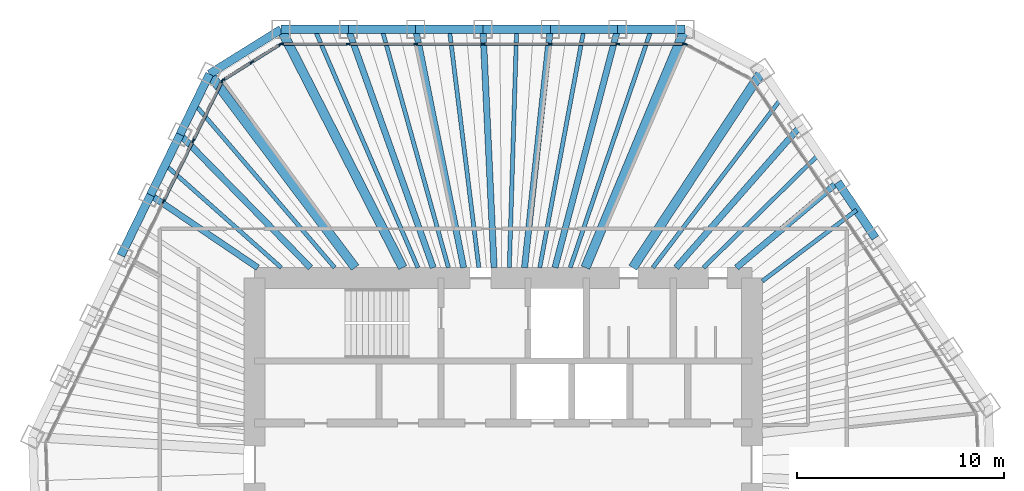
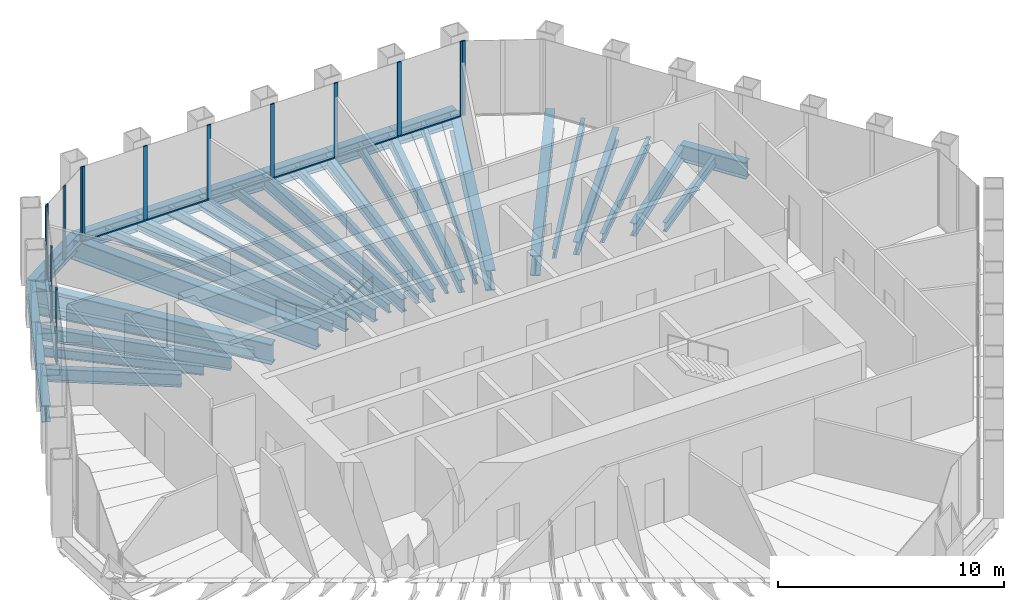
# One storey, part 7 of 14: 35 beams, 24 members, 4 elements without a shape of their own.
"""IFC4 building model written with IfcOpenShell, lengths in metres."""

from ifc_helpers import new_model, si_unit, direction, frame, origin, origin_2d, place, context, subcontext, project, spatial, rectangle, i_section, extrude, material, material_profile, profile_set, type_object, element, aggregate, save


model = new_model("IFC4")

# Units and contexts
model_context = context("Model", 3, precision=1e-05, world=origin(), true_north=direction((0.0, 1.0)))
body_context = subcontext(model_context, "Body", "Model", "MODEL_VIEW")
ifc_project = project(units=[si_unit("LENGTHUNIT", "METRE"), si_unit("AREAUNIT", "SQUARE_METRE"), si_unit("VOLUMEUNIT", "CUBIC_METRE"), si_unit("PLANEANGLEUNIT", "RADIAN"), si_unit("MASSUNIT", "GRAM", prefix="KILO")], contexts=[model_context])

# Site, building, storey
site_placement = place(None, origin())
site = spatial("IfcSite", under=ifc_project, at=site_placement, CompositionType="ELEMENT")
building_placement = place(site_placement, origin())
building = spatial("IfcBuilding", under=site, at=building_placement, Name="Qingtian Harvest Tower", CompositionType="ELEMENT")
storey_placement = place(building_placement, frame((0.0, 0.0, 283.0)))
storey = spatial("IfcBuildingStorey", under=building, at=storey_placement, Name="L62", CompositionType="ELEMENT", Elevation=283.0)

# Beams
ifc_material_1 = material(Name="Steel SM570MC", Category="steel")
ifc_material_profile_1 = material_profile(ifc_material_1, i_section(OverallWidth=0.449951171875, OverallDepth=1.10009765625, WebThickness=0.02197265625, FlangeThickness=0.044921875, at=origin_2d()), Name="H1100x450x22x45")
ifc_profile_set_1 = profile_set([ifc_material_profile_1], Name="Steel SM570MC")
beam_type_1 = type_object("IfcBeamType", Name="Corner floor beam FB8 H1100x450x22x45", PredefinedType="BEAM", material=ifc_profile_set_1)
beam_1_placement = place(storey_placement, frame((-10.72216796875, 21.0, -0.719970703125), z_axis=(0.454730568944, -0.890629052787, 0.0), x_axis=(0.890629052787, 0.454730568944, 0.0)))
element("IfcBeam", 1, at=beam_1_placement, inside=storey, type_object=beam_type_1, Name="Floor beam FB8 N0", PredefinedType="BEAM", context=body_context, shape_type="SweptSolid", body=[
    extrude(i_section(OverallWidth=0.449951171875, OverallDepth=1.10009765625, WebThickness=0.02197265625, FlangeThickness=0.044921875, at=origin_2d()), origin(), (0.0, 0.0, 1.0), 12.912109375),
])
beam_2_placement = place(storey_placement, frame((8.765869140625, 21.0, -0.719970703125), z_axis=(-0.385205133264, -0.922830973313, 0.0), x_axis=(0.922830973313, -0.385205133264, 0.0)))
element("IfcBeam", 2, at=beam_2_placement, inside=storey, type_object=beam_type_1, Name="Floor beam FB8 N6", PredefinedType="BEAM", context=body_context, shape_type="SweptSolid", body=[
    extrude(i_section(OverallWidth=0.449951171875, OverallDepth=1.10009765625, WebThickness=0.02197265625, FlangeThickness=0.044921875, at=origin_2d()), origin(), (0.0, 0.0, 1.0), 12.461669921875),
])
beam_3_placement = place(storey_placement, frame((12.508056640625, 19.01025390625, -0.719970703125), z_axis=(-0.549666916329, -0.835383912398, 0.0), x_axis=(0.835383912398, -0.549666916329, 0.0)))
element("IfcBeam", 3, at=beam_3_placement, inside=storey, type_object=beam_type_1, Name="Floor beam FB8 NE0", PredefinedType="BEAM", context=body_context, shape_type="SweptSolid", body=[
    extrude(i_section(OverallWidth=0.449951171875, OverallDepth=1.10009765625, WebThickness=0.02197265625, FlangeThickness=0.044921875, at=origin_2d()), origin(), (0.0, 0.0, 1.0), 11.38427734375),
])
beam_4_placement = place(storey_placement, frame((-14.17431640625, 18.8427734375, -0.719970703125), z_axis=(0.601148761641, -0.799137138655, 0.0), x_axis=(0.799137138655, 0.601148761641, 0.0)))
element("IfcBeam", 4, at=beam_4_placement, inside=storey, type_object=beam_type_1, Name="Floor beam FB8 NW6", PredefinedType="BEAM", context=body_context, shape_type="SweptSolid", body=[
    extrude(i_section(OverallWidth=0.449951171875, OverallDepth=1.10009765625, WebThickness=0.02197265625, FlangeThickness=0.044921875, at=origin_2d()), origin(), (0.0, 0.0, 1.0), 11.691162109375),
])
ifc_material_2 = material(Name="Steel SN490B", Category="steel")
ifc_material_profile_2 = material_profile(ifc_material_2, i_section(OverallWidth=0.300048828125, OverallDepth=0.699951171875, WebThickness=0.012939453125, FlangeThickness=0.02392578125, at=origin_2d()), Name="H700x300x13x24")
ifc_profile_set_2 = profile_set([ifc_material_profile_2], Name="Steel SN490B")
beam_type_2 = type_object("IfcBeamType", Name="Floor beam FB4 H700x300x13x24", PredefinedType="BEAM", material=ifc_profile_set_2)
beam_5_placement = place(storey_placement, frame((-7.47412109375, 21.0, -0.52001953125), z_axis=(0.335309922571, -0.94210787908, 0.0), x_axis=(0.94210787908, 0.335309922571, 0.0)))
element("IfcBeam", 5, at=beam_5_placement, inside=storey, type_object=beam_type_2, Name="Floor beam FB4 N1", PredefinedType="BEAM", context=body_context, shape_type="SweptSolid", body=[
    extrude(i_section(OverallWidth=0.300048828125, OverallDepth=0.699951171875, WebThickness=0.012939453125, FlangeThickness=0.02392578125, at=origin_2d()), origin(), (0.0, 0.0, 1.0), 12.206787109375),
])
beam_6_placement = place(storey_placement, frame((-4.226318359375, 21.0, -0.52001953125), z_axis=(0.197300692693, -0.980343019898, 0.0), x_axis=(0.980343019898, 0.197300692693, 0.0)))
element("IfcBeam", 6, at=beam_6_placement, inside=storey, type_object=beam_type_2, Name="Floor beam FB4 N2", PredefinedType="BEAM", context=body_context, shape_type="SweptSolid", body=[
    extrude(i_section(OverallWidth=0.300048828125, OverallDepth=0.699951171875, WebThickness=0.012939453125, FlangeThickness=0.02392578125, at=origin_2d()), origin(), (0.0, 0.0, 1.0), 11.73046875),
])
beam_7_placement = place(storey_placement, frame((-0.978271484375, 21.0, -0.52001953125), z_axis=(0.046527342366, -0.99891701678, 0.0), x_axis=(0.99891701678, 0.046527342366, 0.0)))
element("IfcBeam", 7, at=beam_7_placement, inside=storey, type_object=beam_type_2, Name="Floor beam FB4 N3", PredefinedType="BEAM", context=body_context, shape_type="SweptSolid", body=[
    extrude(i_section(OverallWidth=0.300048828125, OverallDepth=0.699951171875, WebThickness=0.012939453125, FlangeThickness=0.02392578125, at=origin_2d()), origin(), (0.0, 0.0, 1.0), 11.512451171875),
])
beam_8_placement = place(storey_placement, frame((2.269775390625, 21.0, -0.52001953125), z_axis=(-0.107454213734, -0.994210034123, 0.0), x_axis=(0.994210034123, -0.107454213734, 0.0)))
element("IfcBeam", 8, at=beam_8_placement, inside=storey, type_object=beam_type_2, Name="Floor beam FB4 N4", PredefinedType="BEAM", context=body_context, shape_type="SweptSolid", body=[
    extrude(i_section(OverallWidth=0.300048828125, OverallDepth=0.699951171875, WebThickness=0.012939453125, FlangeThickness=0.02392578125, at=origin_2d()), origin(), (0.0, 0.0, 1.0), 11.56689453125),
])
beam_9_placement = place(storey_placement, frame((5.517822265625, 21.0, -0.52001953125), z_axis=(-0.254132470973, -0.967169420111, 0.0), x_axis=(0.967169420111, -0.254132470973, 0.0)))
element("IfcBeam", 9, at=beam_9_placement, inside=storey, type_object=beam_type_2, Name="Floor beam FB4 N5", PredefinedType="BEAM", context=body_context, shape_type="SweptSolid", body=[
    extrude(i_section(OverallWidth=0.300048828125, OverallDepth=0.699951171875, WebThickness=0.012939453125, FlangeThickness=0.02392578125, at=origin_2d()), origin(), (0.0, 0.0, 1.0), 11.890380859375),
])
beam_10_placement = place(storey_placement, frame((14.32421875, 16.317626953125, -0.52001953125), z_axis=(-0.659702205655, -0.751527111856, 0.0), x_axis=(0.751527111856, -0.659702205655, 0.0)))
element("IfcBeam", 10, at=beam_10_placement, inside=storey, type_object=beam_type_2, Name="Floor beam FB4 NE1", PredefinedType="BEAM", context=body_context, shape_type="SweptSolid", body=[
    extrude(i_section(OverallWidth=0.300048828125, OverallDepth=0.699951171875, WebThickness=0.012939453125, FlangeThickness=0.02392578125, at=origin_2d()), origin(), (0.0, 0.0, 1.0), 9.07177734375),
])
beam_11_placement = place(storey_placement, frame((16.140625, 13.624755859375, -0.52001953125), z_axis=(-0.764153276603, -0.645034704382, 0.0), x_axis=(0.645034704382, -0.764153276603, 0.0)))
element("IfcBeam", 11, at=beam_11_placement, inside=storey, type_object=beam_type_2, Name="Floor beam FB4 NE2", PredefinedType="BEAM", context=body_context, shape_type="SweptSolid", body=[
    extrude(i_section(OverallWidth=0.300048828125, OverallDepth=0.699951171875, WebThickness=0.012939453125, FlangeThickness=0.02392578125, at=origin_2d()), origin(), (0.0, 0.0, 1.0), 6.39453125),
])
beam_12_placement = place(storey_placement, frame((-17.02197265625, 13.00439453125, -0.52001953125), z_axis=(0.827854296295, -0.560943191514, 0.0), x_axis=(0.560943191514, 0.827854296295, 0.0)))
element("IfcBeam", 12, at=beam_12_placement, inside=storey, type_object=beam_type_2, Name="Floor beam FB4 NW4", PredefinedType="BEAM", context=body_context, shape_type="SweptSolid", body=[
    extrude(i_section(OverallWidth=0.300048828125, OverallDepth=0.699951171875, WebThickness=0.012939453125, FlangeThickness=0.02392578125, at=origin_2d()), origin(), (0.0, 0.0, 1.0), 6.247314453125),
])
beam_13_placement = place(storey_placement, frame((-15.59814453125, 15.923583984375, -0.52001953125), z_axis=(0.699765413715, -0.714372707883, 0.0), x_axis=(0.714372707883, 0.699765413715, 0.0)))
element("IfcBeam", 13, at=beam_13_placement, inside=storey, type_object=beam_type_2, Name="Floor beam FB4 NW5", PredefinedType="BEAM", context=body_context, shape_type="SweptSolid", body=[
    extrude(i_section(OverallWidth=0.300048828125, OverallDepth=0.699951171875, WebThickness=0.012939453125, FlangeThickness=0.02392578125, at=origin_2d()), origin(), (0.0, 0.0, 1.0), 8.991943359375),
])
ifc_material_3 = material(Name="Steel SN490B", Category="steel")
ifc_material_profile_3 = material_profile(ifc_material_3, i_section(OverallWidth=0.199951171875, OverallDepth=0.5, WebThickness=0.010009765625, FlangeThickness=0.01611328125, at=origin_2d()), Name="H500x200x10x16")
ifc_profile_set_3 = profile_set([ifc_material_profile_3], Name="Steel SN490B")
beam_type_3 = type_object("IfcBeamType", Name="Floor joist J3 H500x200x10x16", PredefinedType="JOIST", material=ifc_profile_set_3)
beam_14_placement = place(storey_placement, frame((-9.09814453125, 21.0, -0.419921875), z_axis=(0.397529807491, -0.917589261138, 0.0), x_axis=(0.917589261138, 0.397529807491, 0.0)))
element("IfcBeam", 14, at=beam_14_placement, inside=storey, type_object=beam_type_3, Name="Floor joist J3 N0", PredefinedType="JOIST", context=body_context, shape_type="SweptSolid", body=[
    extrude(i_section(OverallWidth=0.199951171875, OverallDepth=0.5, WebThickness=0.010009765625, FlangeThickness=0.01611328125, at=origin_2d()), origin(), (0.0, 0.0, 1.0), 12.532958984375),
])
beam_15_placement = place(storey_placement, frame((-5.85009765625, 21.0, -0.419921875), z_axis=(0.268356818155, -0.963319582563, 0.0), x_axis=(0.963319582563, 0.268356818155, 0.0)))
element("IfcBeam", 15, at=beam_15_placement, inside=storey, type_object=beam_type_3, Name="Floor joist J3 N1", PredefinedType="JOIST", context=body_context, shape_type="SweptSolid", body=[
    extrude(i_section(OverallWidth=0.199951171875, OverallDepth=0.5, WebThickness=0.010009765625, FlangeThickness=0.01611328125, at=origin_2d()), origin(), (0.0, 0.0, 1.0), 11.93798828125),
])
beam_16_placement = place(storey_placement, frame((-2.602294921875, 21.0, -0.419921875), z_axis=(0.122976702395, -0.992409557929, 0.0), x_axis=(0.992409557929, 0.122976702395, 0.0)))
element("IfcBeam", 16, at=beam_16_placement, inside=storey, type_object=beam_type_3, Name="Floor joist J3 N2", PredefinedType="JOIST", context=body_context, shape_type="SweptSolid", body=[
    extrude(i_section(OverallWidth=0.199951171875, OverallDepth=0.5, WebThickness=0.010009765625, FlangeThickness=0.01611328125, at=origin_2d()), origin(), (0.0, 0.0, 1.0), 11.587890625),
])
beam_17_placement = place(storey_placement, frame((0.645751953125, 21.0, -0.419921875), z_axis=(-0.030725974878, -0.999527845769, 0.0), x_axis=(0.999527845769, -0.030725974878, 0.0)))
element("IfcBeam", 17, at=beam_17_placement, inside=storey, type_object=beam_type_3, Name="Floor joist J3 N3", PredefinedType="JOIST", context=body_context, shape_type="SweptSolid", body=[
    extrude(i_section(OverallWidth=0.199951171875, OverallDepth=0.5, WebThickness=0.010009765625, FlangeThickness=0.01611328125, at=origin_2d()), origin(), (0.0, 0.0, 1.0), 11.50537109375),
])
beam_18_placement = place(storey_placement, frame((3.893798828125, 21.0, -0.419921875), z_axis=(-0.182312001941, -0.983240730416, 0.0), x_axis=(0.983240730416, -0.182312001941, 0.0)))
element("IfcBeam", 18, at=beam_18_placement, inside=storey, type_object=beam_type_3, Name="Floor joist J3 N4", PredefinedType="JOIST", context=body_context, shape_type="SweptSolid", body=[
    extrude(i_section(OverallWidth=0.199951171875, OverallDepth=0.5, WebThickness=0.010009765625, FlangeThickness=0.01611328125, at=origin_2d()), origin(), (0.0, 0.0, 1.0), 11.696044921875),
])
beam_19_placement = place(storey_placement, frame((7.141845703125, 21.0, -0.419921875), z_axis=(-0.321968312345, -0.94675044539, 0.0), x_axis=(0.94675044539, -0.321968312345, 0.0)))
element("IfcBeam", 19, at=beam_19_placement, inside=storey, type_object=beam_type_3, Name="Floor joist J3 N5", PredefinedType="JOIST", context=body_context, shape_type="SweptSolid", body=[
    extrude(i_section(OverallWidth=0.199951171875, OverallDepth=0.5, WebThickness=0.010009765625, FlangeThickness=0.01611328125, at=origin_2d()), origin(), (0.0, 0.0, 1.0), 12.146728515625),
])
beam_20_placement = place(storey_placement, frame((13.416015625, 17.6640625, -0.419921875), z_axis=(-0.604835675798, -0.796350303122, 0.0), x_axis=(0.796350303122, -0.604835675798, 0.0)))
element("IfcBeam", 20, at=beam_20_placement, inside=storey, type_object=beam_type_3, Name="Floor joist J3 NE0", PredefinedType="JOIST", context=body_context, shape_type="SweptSolid", body=[
    extrude(i_section(OverallWidth=0.199951171875, OverallDepth=0.5, WebThickness=0.010009765625, FlangeThickness=0.01611328125, at=origin_2d()), origin(), (0.0, 0.0, 1.0), 10.251953125),
])
beam_21_placement = place(storey_placement, frame((15.232421875, 14.97119140625, -0.419921875), z_axis=(-0.713195408707, -0.700965269467, 0.0), x_axis=(0.700965269467, -0.713195408707, 0.0)))
element("IfcBeam", 21, at=beam_21_placement, inside=storey, type_object=beam_type_3, Name="Floor joist J3 NE1", PredefinedType="JOIST", context=body_context, shape_type="SweptSolid", body=[
    extrude(i_section(OverallWidth=0.199951171875, OverallDepth=0.5, WebThickness=0.010009765625, FlangeThickness=0.01611328125, at=origin_2d()), origin(), (0.0, 0.0, 1.0), 7.80517578125),
])
beam_22_placement = place(storey_placement, frame((17.048583984375, 12.278564453125, -0.419921875), z_axis=(-0.79856269076, -0.601911645448, 0.0), x_axis=(0.601911645448, -0.79856269076, 0.0)))
element("IfcBeam", 22, at=beam_22_placement, inside=storey, type_object=beam_type_3, Name="Floor joist J3 NE2", PredefinedType="JOIST", context=body_context, shape_type="SweptSolid", body=[
    extrude(i_section(OverallWidth=0.199951171875, OverallDepth=0.5, WebThickness=0.010009765625, FlangeThickness=0.01611328125, at=origin_2d()), origin(), (0.0, 0.0, 1.0), 5.696044921875),
])
beam_23_placement = place(storey_placement, frame((-16.31005859375, 14.4638671875, -0.419921875), z_axis=(0.748179407524, -0.663496476372, 0.0), x_axis=(0.663496476372, 0.748179407524, 0.0)))
element("IfcBeam", 23, at=beam_23_placement, inside=storey, type_object=beam_type_3, Name="Floor joist J3 NW4", PredefinedType="JOIST", context=body_context, shape_type="SweptSolid", body=[
    extrude(i_section(OverallWidth=0.199951171875, OverallDepth=0.5, WebThickness=0.010009765625, FlangeThickness=0.01611328125, at=origin_2d()), origin(), (0.0, 0.0, 1.0), 7.4814453125),
])
beam_24_placement = place(storey_placement, frame((-14.88623046875, 17.38330078125, -0.419921875), z_axis=(0.650436795804, -0.7595603825, 0.0), x_axis=(0.7595603825, 0.650436795804, 0.0)))
element("IfcBeam", 24, at=beam_24_placement, inside=storey, type_object=beam_type_3, Name="Floor joist J3 NW5", PredefinedType="JOIST", context=body_context, shape_type="SweptSolid", body=[
    extrude(i_section(OverallWidth=0.199951171875, OverallDepth=0.5, WebThickness=0.010009765625, FlangeThickness=0.01611328125, at=origin_2d()), origin(), (0.0, 0.0, 1.0), 10.378662109375),
])

# Curtain wall, members
ifc_material_4 = material(Name="Bronze-anodised aluminium curtain wall", Category="aluminium")
curtain_wall_type = type_object("IfcCurtainWallType", Name="Curtain wall CW5 upper office", PredefinedType="USERDEFINED", material=ifc_material_4)
curtain_wall_1_placement = place(storey_placement, origin())
curtain_wall_1 = element("IfcCurtainWall", 25, at=curtain_wall_1_placement, inside=storey, type_object=curtain_wall_type, Name="Curtain wall CW5 L62 N0-5", ObjectType="RECESSED CURTAIN WALL", PredefinedType="USERDEFINED")
ifc_material_5 = material(Name="Bronze-anodised aluminium mullion", Category="aluminium")
ifc_material_profile_4 = material_profile(ifc_material_5, rectangle(XDim=0.06494140625, YDim=0.199951171875, at=origin_2d()), Name="AL 65x200")
ifc_profile_set_4 = profile_set([ifc_material_profile_4], Name="Bronze-anodised aluminium mullion")
member_type_1 = type_object("IfcMemberType", Name="Mullion CWM 65x200", PredefinedType="MULLION", material=ifc_profile_set_4)
member_1_placement = place(storey_placement, frame((-10.689697265625, 20.300048828125, 0.0), z_axis=(0.0, 0.0, 1.0), x_axis=(0.0, 1.0, 0.0)))
member_1 = element("IfcMember", 26, at=member_1_placement, type_object=member_type_1, Name="CW5 mullion 1", PredefinedType="MULLION", context=body_context, shape_type="SweptSolid", body=[
    extrude(rectangle(XDim=0.06494140625, YDim=0.199951171875, at=origin_2d()), origin(), (0.0, 0.0, 1.0), 4.030029296875),
])
member_2_placement = place(storey_placement, frame((-7.47412109375, 20.300048828125, 0.0), z_axis=(0.0, 0.0, 1.0), x_axis=(0.0, 1.0, 0.0)))
member_2 = element("IfcMember", 27, at=member_2_placement, type_object=member_type_1, Name="CW5 mullion 2", PredefinedType="MULLION", context=body_context, shape_type="SweptSolid", body=[
    extrude(rectangle(XDim=0.06494140625, YDim=0.199951171875, at=origin_2d()), origin(), (0.0, 0.0, 1.0), 4.030029296875),
])
member_3_placement = place(storey_placement, frame((-4.226318359375, 20.300048828125, 0.0), z_axis=(0.0, 0.0, 1.0), x_axis=(0.0, 1.0, 0.0)))
member_3 = element("IfcMember", 28, at=member_3_placement, type_object=member_type_1, Name="CW5 mullion 3", PredefinedType="MULLION", context=body_context, shape_type="SweptSolid", body=[
    extrude(rectangle(XDim=0.06494140625, YDim=0.199951171875, at=origin_2d()), origin(), (0.0, 0.0, 1.0), 4.030029296875),
])
member_4_placement = place(storey_placement, frame((-0.978271484375, 20.300048828125, 0.0), z_axis=(0.0, 0.0, 1.0), x_axis=(0.0, 1.0, 0.0)))
member_4 = element("IfcMember", 29, at=member_4_placement, type_object=member_type_1, Name="CW5 mullion 4", PredefinedType="MULLION", context=body_context, shape_type="SweptSolid", body=[
    extrude(rectangle(XDim=0.06494140625, YDim=0.199951171875, at=origin_2d()), origin(), (0.0, 0.0, 1.0), 4.030029296875),
])
member_5_placement = place(storey_placement, frame((2.269775390625, 20.300048828125, 0.0), z_axis=(0.0, 0.0, 1.0), x_axis=(0.0, 1.0, 0.0)))
member_5 = element("IfcMember", 30, at=member_5_placement, type_object=member_type_1, Name="CW5 mullion 5", PredefinedType="MULLION", context=body_context, shape_type="SweptSolid", body=[
    extrude(rectangle(XDim=0.06494140625, YDim=0.199951171875, at=origin_2d()), origin(), (0.0, 0.0, 1.0), 4.030029296875),
])
member_6_placement = place(storey_placement, frame((5.517822265625, 20.300048828125, 0.0), z_axis=(0.0, 0.0, 1.0), x_axis=(0.0, 1.0, 0.0)))
member_6 = element("IfcMember", 31, at=member_6_placement, type_object=member_type_1, Name="CW5 mullion 6", PredefinedType="MULLION", context=body_context, shape_type="SweptSolid", body=[
    extrude(rectangle(XDim=0.06494140625, YDim=0.199951171875, at=origin_2d()), origin(), (0.0, 0.0, 1.0), 4.030029296875),
])
member_7_placement = place(storey_placement, frame((8.7333984375, 20.300048828125, 0.0), z_axis=(0.0, 0.0, 1.0), x_axis=(0.0, 1.0, 0.0)))
member_7 = element("IfcMember", 32, at=member_7_placement, type_object=member_type_1, Name="CW5 mullion 7", PredefinedType="MULLION", context=body_context, shape_type="SweptSolid", body=[
    extrude(rectangle(XDim=0.06494140625, YDim=0.199951171875, at=origin_2d()), origin(), (0.0, 0.0, 1.0), 4.030029296875),
])

# Curtain wall, member
curtain_wall_2_placement = place(storey_placement, origin())
curtain_wall_2 = element("IfcCurtainWall", 33, at=curtain_wall_2_placement, inside=storey, type_object=curtain_wall_type, Name="Curtain wall CW5 L62 NC", ObjectType="RECESSED CURTAIN WALL", PredefinedType="USERDEFINED")
member_8_placement = place(storey_placement, frame((8.794677734375, 20.28466796875, 0.0), z_axis=(0.0, 0.0, 1.0), x_axis=(0.469471562786, 0.882947592859, 0.0)))
member_8 = element("IfcMember", 34, at=member_8_placement, type_object=member_type_1, Name="CW5 mullion 1", PredefinedType="MULLION", context=body_context, shape_type="SweptSolid", body=[
    extrude(rectangle(XDim=0.06494140625, YDim=0.199951171875, at=origin_2d()), origin(), (0.0, 0.0, 1.0), 4.030029296875),
])
aggregate(curtain_wall_2, [member_8])

# Curtain wall, members
curtain_wall_3_placement = place(storey_placement, origin())
curtain_wall_3 = element("IfcCurtainWall", 35, at=curtain_wall_3_placement, inside=storey, type_object=curtain_wall_type, Name="Curtain wall CW5 L62 NW0-5", ObjectType="RECESSED CURTAIN WALL", PredefinedType="USERDEFINED")
member_9_placement = place(storey_placement, frame((-16.392822265625, 12.697509765625, 0.0), z_axis=(0.0, 0.0, 1.0), x_axis=(-0.898794046299, 0.438371146789, 0.0)))
member_9 = element("IfcMember", 36, at=member_9_placement, type_object=member_type_1, Name="CW5 mullion 5", PredefinedType="MULLION", context=body_context, shape_type="SweptSolid", body=[
    extrude(rectangle(XDim=0.06494140625, YDim=0.199951171875, at=origin_2d()), origin(), (0.0, 0.0, 1.0), 4.030029296875),
])
member_10_placement = place(storey_placement, frame((-14.968994140625, 15.61669921875, 0.0), z_axis=(0.0, 0.0, 1.0), x_axis=(-0.898794046299, 0.438371146789, 0.0)))
member_10 = element("IfcMember", 37, at=member_10_placement, type_object=member_type_1, Name="CW5 mullion 6", PredefinedType="MULLION", context=body_context, shape_type="SweptSolid", body=[
    extrude(rectangle(XDim=0.06494140625, YDim=0.199951171875, at=origin_2d()), origin(), (0.0, 0.0, 1.0), 4.030029296875),
])
member_11_placement = place(storey_placement, frame((-13.559326171875, 18.5068359375, 0.0), z_axis=(0.0, 0.0, 1.0), x_axis=(-0.898794046299, 0.438371146789, 0.0)))
member_11 = element("IfcMember", 38, at=member_11_placement, type_object=member_type_1, Name="CW5 mullion 7", PredefinedType="MULLION", context=body_context, shape_type="SweptSolid", body=[
    extrude(rectangle(XDim=0.06494140625, YDim=0.199951171875, at=origin_2d()), origin(), (0.0, 0.0, 1.0), 4.030029296875),
])

curtain_wall_4_placement = place(storey_placement, origin())
curtain_wall_4 = element("IfcCurtainWall", 39, at=curtain_wall_4_placement, inside=storey, type_object=curtain_wall_type, Name="Curtain wall CW5 L62 NWC", ObjectType="RECESSED CURTAIN WALL", PredefinedType="USERDEFINED")
member_12_placement = place(storey_placement, frame((-13.517578125, 18.55322265625, 0.0), z_axis=(0.0, 0.0, 1.0), x_axis=(-0.529919264233, 0.848048096156, 0.0)))
member_12 = element("IfcMember", 40, at=member_12_placement, type_object=member_type_1, Name="CW5 mullion 1", PredefinedType="MULLION", context=body_context, shape_type="SweptSolid", body=[
    extrude(rectangle(XDim=0.06494140625, YDim=0.199951171875, at=origin_2d()), origin(), (0.0, 0.0, 1.0), 4.030029296875),
])
member_13_placement = place(storey_placement, frame((-12.1337890625, 19.41796875, 0.0), z_axis=(0.0, 0.0, 1.0), x_axis=(-0.529919264233, 0.848048096156, 0.0)))
member_13 = element("IfcMember", 41, at=member_13_placement, type_object=member_type_1, Name="CW5 mullion 2", PredefinedType="MULLION", context=body_context, shape_type="SweptSolid", body=[
    extrude(rectangle(XDim=0.06494140625, YDim=0.199951171875, at=origin_2d()), origin(), (0.0, 0.0, 1.0), 4.030029296875),
])
member_14_placement = place(storey_placement, frame((-10.749755859375, 20.28271484375, 0.0), z_axis=(0.0, 0.0, 1.0), x_axis=(-0.529919264233, 0.848048096156, 0.0)))
member_14 = element("IfcMember", 42, at=member_14_placement, type_object=member_type_1, Name="CW5 mullion 3", PredefinedType="MULLION", context=body_context, shape_type="SweptSolid", body=[
    extrude(rectangle(XDim=0.06494140625, YDim=0.199951171875, at=origin_2d()), origin(), (0.0, 0.0, 1.0), 4.030029296875),
])

# Beams
ifc_material_6 = material(Name="Steel SN490B", Category="steel")
ifc_material_profile_5 = material_profile(ifc_material_6, i_section(OverallWidth=0.39990234375, OverallDepth=0.89990234375, WebThickness=0.01904296875, FlangeThickness=0.035888671875, at=origin_2d()), Name="H900x400x19x36")
ifc_profile_set_5 = profile_set([ifc_material_profile_5], Name="Steel SN490B")
beam_type_4 = type_object("IfcBeamType", Name="Spandrel beam SB4 H900x400x19x36", PredefinedType="SPANDREL", material=ifc_profile_set_5)
beam_25_placement = place(storey_placement, frame((-10.72216796875, 21.0, -0.449951171875), z_axis=(1.0, 0.0, 0.0), x_axis=(0.0, 1.0, 0.0)))
element("IfcBeam", 43, at=beam_25_placement, inside=storey, type_object=beam_type_4, Name="Spandrel SB4 N0", PredefinedType="SPANDREL", context=body_context, shape_type="SweptSolid", body=[
    extrude(i_section(OverallWidth=0.39990234375, OverallDepth=0.89990234375, WebThickness=0.01904296875, FlangeThickness=0.035888671875, at=origin_2d()), origin(), (0.0, 0.0, 1.0), 3.248046875),
])
beam_26_placement = place(storey_placement, frame((-7.47412109375, 21.0, -0.449951171875), z_axis=(1.0, 0.0, 0.0), x_axis=(0.0, 1.0, 0.0)))
element("IfcBeam", 44, at=beam_26_placement, inside=storey, type_object=beam_type_4, Name="Spandrel SB4 N1", PredefinedType="SPANDREL", context=body_context, shape_type="SweptSolid", body=[
    extrude(i_section(OverallWidth=0.39990234375, OverallDepth=0.89990234375, WebThickness=0.01904296875, FlangeThickness=0.035888671875, at=origin_2d()), origin(), (0.0, 0.0, 1.0), 3.247802734375),
])
for number, where, z_axis, x_axis, name in (
    (45, (-4.226318359375, 21.0, -0.449951171875), (1.0, 0.0, 0.0), (0.0, 1.0, 0.0), "Spandrel SB4 N2"),
    (46, (-0.978271484375, 21.0, -0.449951171875), (1.0, 0.0, 0.0), (0.0, 1.0, 0.0), "Spandrel SB4 N3"),
    (47, (2.269775390625, 21.0, -0.449951171875), (1.0, 0.0, 0.0), (0.0, 1.0, 0.0), "Spandrel SB4 N4"),
    (48, (5.517822265625, 21.0, -0.449951171875), (1.0, 0.0, 0.0), (0.0, 1.0, 0.0), "Spandrel SB4 N5"),
):
    element("IfcBeam", number, at=place(storey_placement, frame(where, z_axis=z_axis, x_axis=x_axis)), inside=storey, type_object=beam_type_4, Name=name, PredefinedType="SPANDREL", context=body_context, shape_type="SweptSolid", body=[
        extrude(i_section(OverallWidth=0.39990234375, OverallDepth=0.89990234375, WebThickness=0.01904296875, FlangeThickness=0.035888671875, at=origin_2d()), origin(), (0.0, 0.0, 1.0), 3.248046875),
    ])
beam_27_placement = place(storey_placement, frame((16.140625, 13.624755859375, -0.449951171875), z_axis=(0.559184924833, -0.829042954158, 0.0), x_axis=(0.829042954158, 0.559184924833, 0.0)))
element("IfcBeam", 49, at=beam_27_placement, inside=storey, type_object=beam_type_4, Name="Spandrel SB4 NE2", PredefinedType="SPANDREL", context=body_context, shape_type="SweptSolid", body=[
    extrude(i_section(OverallWidth=0.39990234375, OverallDepth=0.89990234375, WebThickness=0.01904296875, FlangeThickness=0.035888671875, at=origin_2d()), origin(), (0.0, 0.0, 1.0), 3.247802734375),
])
beam_28_placement = place(storey_placement, frame((-18.44580078125, 10.0849609375, -0.449951171875), z_axis=(0.438352548749, 0.898803116931, 0.0), x_axis=(-0.898803116931, 0.438352548749, 0.0)))
element("IfcBeam", 50, at=beam_28_placement, inside=storey, type_object=beam_type_4, Name="Spandrel SB4 NW3", PredefinedType="SPANDREL", context=body_context, shape_type="SweptSolid", body=[
    extrude(i_section(OverallWidth=0.39990234375, OverallDepth=0.89990234375, WebThickness=0.01904296875, FlangeThickness=0.035888671875, at=origin_2d()), origin(), (0.0, 0.0, 1.0), 3.248046875),
])
for number, where, z_axis, x_axis, name in (
    (51, (-17.02197265625, 13.00439453125, -0.449951171875), (0.438382164311, 0.898788672611, 0.0), (-0.898788672611, 0.438382164311, 0.0), "Spandrel SB4 NW4"),
    (52, (-15.59814453125, 15.923583984375, -0.449951171875), (0.438382164311, 0.898788672611, 0.0), (-0.898788672611, 0.438382164311, 0.0), "Spandrel SB4 NW5"),
):
    element("IfcBeam", number, at=place(storey_placement, frame(where, z_axis=z_axis, x_axis=x_axis)), inside=storey, type_object=beam_type_4, Name=name, PredefinedType="SPANDREL", context=body_context, shape_type="SweptSolid", body=[
        extrude(i_section(OverallWidth=0.39990234375, OverallDepth=0.89990234375, WebThickness=0.01904296875, FlangeThickness=0.035888671875, at=origin_2d()), origin(), (0.0, 0.0, 1.0), 3.247802734375),
    ])
beam_29_placement = place(storey_placement, frame((-14.17431640625, 18.8427734375, -0.449951171875), z_axis=(0.848038733752, 0.529934246919, 0.0), x_axis=(-0.529934246919, 0.848038733752, 0.0)))
element("IfcBeam", 53, at=beam_29_placement, inside=storey, type_object=beam_type_4, Name="Spandrel SB4 NWC", PredefinedType="SPANDREL", context=body_context, shape_type="SweptSolid", body=[
    extrude(i_section(OverallWidth=0.39990234375, OverallDepth=0.89990234375, WebThickness=0.01904296875, FlangeThickness=0.035888671875, at=origin_2d()), origin(), (0.0, 0.0, 1.0), 4.07080078125),
])

# Member
ifc_material_7 = material(Name="Bronze-anodised aluminium transom", Category="aluminium")
ifc_material_profile_6 = material_profile(ifc_material_7, rectangle(XDim=0.14990234375, YDim=0.06494140625, at=origin_2d()), Name="AL 65x150")
ifc_profile_set_6 = profile_set([ifc_material_profile_6], Name="Bronze-anodised aluminium transom")
member_type_2 = type_object("IfcMemberType", Name="Transom CWT 65x150", PredefinedType="USERDEFINED", material=ifc_profile_set_6)
member_15_placement = place(storey_placement, frame((-10.6572265625, 20.300048828125, 0.032470703125), z_axis=(1.0, 0.0, 0.0), x_axis=(0.0, 1.0, 0.0)))
member_15 = element("IfcMember", 54, at=member_15_placement, type_object=member_type_2, Name="CW5 transom 1.1", ObjectType="TRANSOM", PredefinedType="USERDEFINED", context=body_context, shape_type="SweptSolid", body=[
    extrude(rectangle(XDim=0.14990234375, YDim=0.06494140625, at=origin_2d()), origin(), (0.0, 0.0, 1.0), 3.150390625),
])

member_16_placement = place(storey_placement, frame((-7.441650390625, 20.300048828125, 0.032470703125), z_axis=(1.0, 0.0, 0.0), x_axis=(0.0, 1.0, 0.0)))
member_16 = element("IfcMember", 55, at=member_16_placement, type_object=member_type_2, Name="CW5 transom 2.1", ObjectType="TRANSOM", PredefinedType="USERDEFINED", context=body_context, shape_type="SweptSolid", body=[
    extrude(rectangle(XDim=0.14990234375, YDim=0.06494140625, at=origin_2d()), origin(), (0.0, 0.0, 1.0), 3.182861328125),
])

member_17_placement = place(storey_placement, frame((-4.193603515625, 20.300048828125, 0.032470703125), z_axis=(1.0, 0.0, 0.0), x_axis=(0.0, 1.0, 0.0)))
member_17 = element("IfcMember", 56, at=member_17_placement, type_object=member_type_2, Name="CW5 transom 3.1", ObjectType="TRANSOM", PredefinedType="USERDEFINED", context=body_context, shape_type="SweptSolid", body=[
    extrude(rectangle(XDim=0.14990234375, YDim=0.06494140625, at=origin_2d()), origin(), (0.0, 0.0, 1.0), 3.182861328125),
])

member_18_placement = place(storey_placement, frame((-0.94580078125, 20.300048828125, 0.032470703125), z_axis=(1.0, 0.0, 0.0), x_axis=(0.0, 1.0, 0.0)))
member_18 = element("IfcMember", 57, at=member_18_placement, type_object=member_type_2, Name="CW5 transom 4.1", ObjectType="TRANSOM", PredefinedType="USERDEFINED", context=body_context, shape_type="SweptSolid", body=[
    extrude(rectangle(XDim=0.14990234375, YDim=0.06494140625, at=origin_2d()), origin(), (0.0, 0.0, 1.0), 3.18310546875),
])

member_19_placement = place(storey_placement, frame((2.30224609375, 20.300048828125, 0.032470703125), z_axis=(1.0, 0.0, 0.0), x_axis=(0.0, 1.0, 0.0)))
member_19 = element("IfcMember", 58, at=member_19_placement, type_object=member_type_2, Name="CW5 transom 5.1", ObjectType="TRANSOM", PredefinedType="USERDEFINED", context=body_context, shape_type="SweptSolid", body=[
    extrude(rectangle(XDim=0.14990234375, YDim=0.06494140625, at=origin_2d()), origin(), (0.0, 0.0, 1.0), 3.18310546875),
])

member_20_placement = place(storey_placement, frame((5.55029296875, 20.300048828125, 0.032470703125), z_axis=(1.0, 0.0, 0.0), x_axis=(0.0, 1.0, 0.0)))
member_20 = element("IfcMember", 59, at=member_20_placement, type_object=member_type_2, Name="CW5 transom 6.1", ObjectType="TRANSOM", PredefinedType="USERDEFINED", context=body_context, shape_type="SweptSolid", body=[
    extrude(rectangle(XDim=0.14990234375, YDim=0.06494140625, at=origin_2d()), origin(), (0.0, 0.0, 1.0), 3.150634765625),
])

aggregate(curtain_wall_1, [member_1, member_2, member_3, member_4, member_5, member_6, member_7, member_15, member_16, member_17, member_18, member_19, member_20])

member_21_placement = place(storey_placement, frame((-16.378662109375, 12.7265625, 0.032470703125), z_axis=(0.438355626738, 0.898801615768, 0.0), x_axis=(-0.898801615768, 0.438355626738, 0.0)))
member_21 = element("IfcMember", 60, at=member_21_placement, type_object=member_type_2, Name="CW5 transom 5.1", ObjectType="TRANSOM", PredefinedType="USERDEFINED", context=body_context, shape_type="SweptSolid", body=[
    extrude(rectangle(XDim=0.14990234375, YDim=0.06494140625, at=origin_2d()), origin(), (0.0, 0.0, 1.0), 3.182861328125),
])

member_22_placement = place(storey_placement, frame((-14.954833984375, 15.64599609375, 0.032470703125), z_axis=(0.438388515075, 0.898785575012, 0.0), x_axis=(-0.898785575012, 0.438388515075, 0.0)))
member_22 = element("IfcMember", 61, at=member_22_placement, type_object=member_type_2, Name="CW5 transom 6.1", ObjectType="TRANSOM", PredefinedType="USERDEFINED", context=body_context, shape_type="SweptSolid", body=[
    extrude(rectangle(XDim=0.14990234375, YDim=0.06494140625, at=origin_2d()), origin(), (0.0, 0.0, 1.0), 3.150390625),
])

aggregate(curtain_wall_3, [member_9, member_10, member_11, member_21, member_22])

member_23_placement = place(storey_placement, frame((-13.489990234375, 18.570556640625, 0.032470703125), z_axis=(0.848015812303, 0.529970925697, 0.0), x_axis=(-0.529970925697, 0.848015812303, 0.0)))
member_23 = element("IfcMember", 62, at=member_23_placement, type_object=member_type_2, Name="CW5 transom 1.1", ObjectType="TRANSOM", PredefinedType="USERDEFINED", context=body_context, shape_type="SweptSolid", body=[
    extrude(rectangle(XDim=0.14990234375, YDim=0.06494140625, at=origin_2d()), origin(), (0.0, 0.0, 1.0), 1.566650390625),
])

member_24_placement = place(storey_placement, frame((-12.106201171875, 19.435302734375, 0.032470703125), z_axis=(0.848059570903, 0.529900900357, 0.0), x_axis=(-0.529900900357, 0.848059570903, 0.0)))
member_24 = element("IfcMember", 63, at=member_24_placement, type_object=member_type_2, Name="CW5 transom 2.1", ObjectType="TRANSOM", PredefinedType="USERDEFINED", context=body_context, shape_type="SweptSolid", body=[
    extrude(rectangle(XDim=0.14990234375, YDim=0.06494140625, at=origin_2d()), origin(), (0.0, 0.0, 1.0), 1.56689453125),
])

aggregate(curtain_wall_4, [member_12, member_13, member_14, member_23, member_24])

save(model, "model.ifc")
